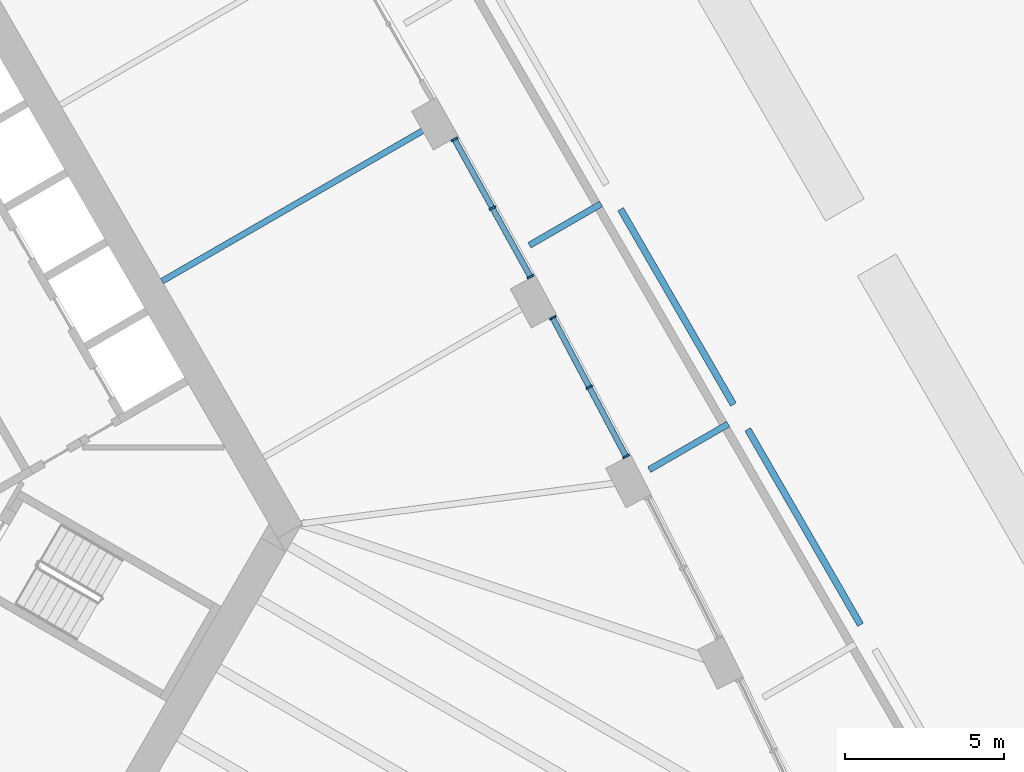
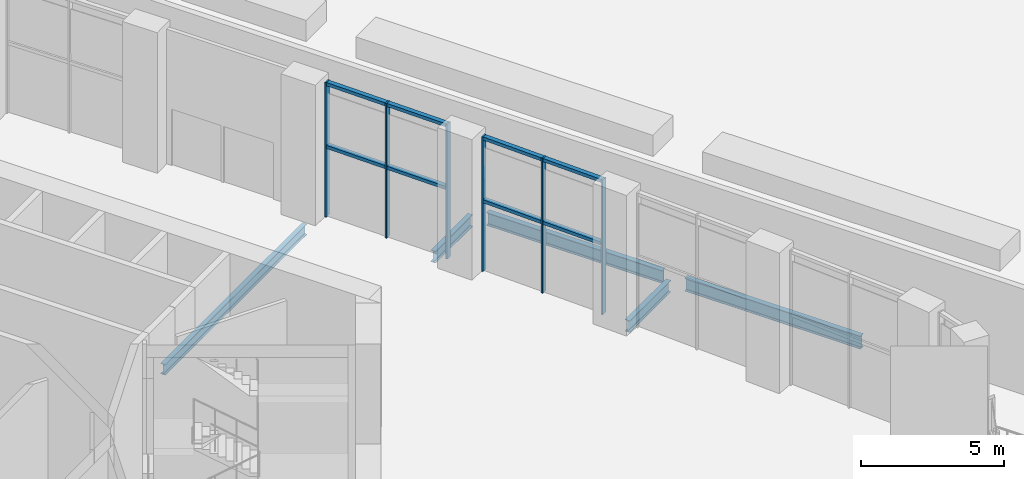
# One storey, part 9 of 41: 14 members, 5 beams, 1 element without a shape of its own.
"""IFC4 building model written with IfcOpenShell, lengths in metres."""

from ifc_helpers import new_model, si_unit, direction, frame, origin, origin_2d, place, context, subcontext, project, spatial, rectangle, i_section, extrude, material, material_profile, profile_set, type_object, element, aggregate, save


model = new_model("IFC4")

# Units and contexts
model_context = context("Model", 3, precision=1e-05, world=origin(), true_north=direction((0.0, 1.0)))
body_context = subcontext(model_context, "Body", "Model", "MODEL_VIEW")
ifc_project = project(units=[si_unit("LENGTHUNIT", "METRE"), si_unit("AREAUNIT", "SQUARE_METRE"), si_unit("VOLUMEUNIT", "CUBIC_METRE"), si_unit("PLANEANGLEUNIT", "RADIAN"), si_unit("MASSUNIT", "GRAM", prefix="KILO")], contexts=[model_context])

# Site, building, storey
site_placement = place(None, origin())
site = spatial("IfcSite", under=ifc_project, at=site_placement, CompositionType="ELEMENT")
building_placement = place(site_placement, origin())
building = spatial("IfcBuilding", under=site, at=building_placement, Name="Mestral Congress Tower", CompositionType="ELEMENT")
storey_placement = place(building_placement, frame((0.0, 0.0, 21.60009765625)))
storey = spatial("IfcBuildingStorey", under=building, at=storey_placement, Name="L04", CompositionType="ELEMENT", Elevation=21.60009765625)

# Curtain wall, members
ifc_material_1 = material(Name="Clear low-emissivity double glazing", Category="glass")
curtain_wall_type = type_object("IfcCurtainWallType", Name="Facade arrival lobby curtain wall", PredefinedType="USERDEFINED", material=ifc_material_1)
curtain_wall_placement = place(storey_placement, origin())
curtain_wall = element("IfcCurtainWall", 1, at=curtain_wall_placement, inside=storey, type_object=curtain_wall_type, Name="Facade arrival lobby curtain wall face 2", ObjectType="CURTAIN WALL", PredefinedType="USERDEFINED")
ifc_material_2 = material(Name="Anodised aluminium", Category="aluminium")
ifc_material_profile_1 = material_profile(ifc_material_2, rectangle(XDim=0.219970703125, YDim=0.06005859375, at=origin_2d()), Name="CW4 mullion 220 x 60")
ifc_profile_set_1 = profile_set([ifc_material_profile_1], Name="Anodised aluminium")
member_type_1 = type_object("IfcMemberType", Name="Facade arrival lobby curtain wall mullion", PredefinedType="MULLION", material=ifc_profile_set_1)
member_1_placement = place(storey_placement, frame((27.456787109375, -1.785888671875, 0.0), z_axis=(0.0, 0.0, 1.0), x_axis=(0.883913407167, 0.467650605293, 0.0)))
member_1 = element("IfcMember", 2, at=member_1_placement, type_object=member_type_1, Name="Facade arrival lobby curtain wall mullion", PredefinedType="MULLION", context=body_context, shape_type="SweptSolid", body=[
    extrude(rectangle(XDim=0.219970703125, YDim=0.06005859375, at=origin_2d()), origin(), (0.0, 0.0, 1.0), 5.75),
])
member_2_placement = place(storey_placement, frame((26.302001953125, 0.396484375, 0.0), z_axis=(0.0, 0.0, 1.0), x_axis=(0.883913407167, 0.467650605293, 0.0)))
member_2 = element("IfcMember", 3, at=member_2_placement, type_object=member_type_1, Name="Facade arrival lobby curtain wall mullion", PredefinedType="MULLION", context=body_context, shape_type="SweptSolid", body=[
    extrude(rectangle(XDim=0.219970703125, YDim=0.06005859375, at=origin_2d()), origin(), (0.0, 0.0, 1.0), 5.75),
])
member_3_placement = place(storey_placement, frame((25.147216796875, 2.5791015625, 0.0), z_axis=(0.0, 0.0, 1.0), x_axis=(0.883913407167, 0.467650605293, 0.0)))
member_3 = element("IfcMember", 4, at=member_3_placement, type_object=member_type_1, Name="Facade arrival lobby curtain wall mullion", PredefinedType="MULLION", context=body_context, shape_type="SweptSolid", body=[
    extrude(rectangle(XDim=0.219970703125, YDim=0.06005859375, at=origin_2d()), origin(), (0.0, 0.0, 1.0), 5.75),
])
member_4_placement = place(storey_placement, frame((24.44921875, 3.869384765625, 0.0), z_axis=(0.0, 0.0, 1.0), x_axis=(0.875120162417, 0.483905674001, 0.0)))
member_4 = element("IfcMember", 5, at=member_4_placement, type_object=member_type_1, Name="Facade arrival lobby curtain wall mullion", PredefinedType="MULLION", context=body_context, shape_type="SweptSolid", body=[
    extrude(rectangle(XDim=0.219970703125, YDim=0.06005859375, at=origin_2d()), origin(), (0.0, 0.0, 1.0), 5.75),
])
member_5_placement = place(storey_placement, frame((23.25439453125, 6.0302734375, 0.0), z_axis=(0.0, 0.0, 1.0), x_axis=(0.875120162417, 0.483905674001, 0.0)))
member_5 = element("IfcMember", 6, at=member_5_placement, type_object=member_type_1, Name="Facade arrival lobby curtain wall mullion", PredefinedType="MULLION", context=body_context, shape_type="SweptSolid", body=[
    extrude(rectangle(XDim=0.219970703125, YDim=0.06005859375, at=origin_2d()), origin(), (0.0, 0.0, 1.0), 5.75),
])
member_6_placement = place(storey_placement, frame((22.0595703125, 8.19091796875, 0.0), z_axis=(0.0, 0.0, 1.0), x_axis=(0.875120162417, 0.483905674001, 0.0)))
member_6 = element("IfcMember", 7, at=member_6_placement, type_object=member_type_1, Name="Facade arrival lobby curtain wall mullion", PredefinedType="MULLION", context=body_context, shape_type="SweptSolid", body=[
    extrude(rectangle(XDim=0.219970703125, YDim=0.06005859375, at=origin_2d()), origin(), (0.0, 0.0, 1.0), 5.75),
])
ifc_material_profile_2 = material_profile(ifc_material_2, rectangle(XDim=0.179931640625, YDim=0.139892578125, at=origin_2d()), Name="CW4 transom 180 x 140")
ifc_profile_set_2 = profile_set([ifc_material_profile_2], Name="Anodised aluminium")
member_type_2 = type_object("IfcMemberType", Name="Facade arrival lobby curtain wall transom", PredefinedType="USERDEFINED", material=ifc_profile_set_2)
member_7_placement = place(storey_placement, frame((27.442626953125, -1.759521484375, 3.0), z_axis=(-0.467645602362, 0.883916054041, 0.0), x_axis=(-0.883916054041, -0.467645602362, 0.0)))
member_7 = element("IfcMember", 8, at=member_7_placement, type_object=member_type_2, Name="Facade arrival lobby curtain wall transom", ObjectType="TRANSOM", PredefinedType="USERDEFINED", context=body_context, shape_type="SweptSolid", body=[
    extrude(rectangle(XDim=0.179931640625, YDim=0.139892578125, at=origin_2d()), origin(), (0.0, 0.0, 1.0), 2.409423828125),
])
member_8_placement = place(storey_placement, frame((27.442626953125, -1.759521484375, 5.679931640625), z_axis=(-0.467645602362, 0.883916054041, 0.0), x_axis=(-0.883916054041, -0.467645602362, 0.0)))
member_8 = element("IfcMember", 9, at=member_8_placement, type_object=member_type_2, Name="Facade arrival lobby curtain wall transom", ObjectType="TRANSOM", PredefinedType="USERDEFINED", context=body_context, shape_type="SweptSolid", body=[
    extrude(rectangle(XDim=0.179931640625, YDim=0.139892578125, at=origin_2d()), origin(), (0.0, 0.0, 1.0), 2.409423828125),
])
member_9_placement = place(storey_placement, frame((26.2880859375, 0.423095703125, 3.0), z_axis=(-0.467687491987, 0.883893890599, 0.0), x_axis=(-0.883893890599, -0.467687491987, 0.0)))
member_9 = element("IfcMember", 10, at=member_9_placement, type_object=member_type_2, Name="Facade arrival lobby curtain wall transom", ObjectType="TRANSOM", PredefinedType="USERDEFINED", context=body_context, shape_type="SweptSolid", body=[
    extrude(rectangle(XDim=0.179931640625, YDim=0.139892578125, at=origin_2d()), origin(), (0.0, 0.0, 1.0), 2.4091796875),
])
member_10_placement = place(storey_placement, frame((26.2880859375, 0.423095703125, 5.679931640625), z_axis=(-0.467687491987, 0.883893890599, 0.0), x_axis=(-0.883893890599, -0.467687491987, 0.0)))
member_10 = element("IfcMember", 11, at=member_10_placement, type_object=member_type_2, Name="Facade arrival lobby curtain wall transom", ObjectType="TRANSOM", PredefinedType="USERDEFINED", context=body_context, shape_type="SweptSolid", body=[
    extrude(rectangle(XDim=0.179931640625, YDim=0.139892578125, at=origin_2d()), origin(), (0.0, 0.0, 1.0), 2.4091796875),
])
member_11_placement = place(storey_placement, frame((24.434814453125, 3.895751953125, 3.0), z_axis=(-0.483998648119, 0.875068745082, 0.0), x_axis=(-0.875068745082, -0.483998648119, 0.0)))
member_11 = element("IfcMember", 12, at=member_11_placement, type_object=member_type_2, Name="Facade arrival lobby curtain wall transom", ObjectType="TRANSOM", PredefinedType="USERDEFINED", context=body_context, shape_type="SweptSolid", body=[
    extrude(rectangle(XDim=0.179931640625, YDim=0.139892578125, at=origin_2d()), origin(), (0.0, 0.0, 1.0), 2.4091796875),
])
member_12_placement = place(storey_placement, frame((24.434814453125, 3.895751953125, 5.679931640625), z_axis=(-0.483998648119, 0.875068745082, 0.0), x_axis=(-0.875068745082, -0.483998648119, 0.0)))
member_12 = element("IfcMember", 13, at=member_12_placement, type_object=member_type_2, Name="Facade arrival lobby curtain wall transom", ObjectType="TRANSOM", PredefinedType="USERDEFINED", context=body_context, shape_type="SweptSolid", body=[
    extrude(rectangle(XDim=0.179931640625, YDim=0.139892578125, at=origin_2d()), origin(), (0.0, 0.0, 1.0), 2.4091796875),
])
member_13_placement = place(storey_placement, frame((23.239990234375, 6.056396484375, 3.0), z_axis=(-0.483878127232, 0.875135394089, 0.0), x_axis=(-0.875135394089, -0.483878127232, 0.0)))
member_13 = element("IfcMember", 14, at=member_13_placement, type_object=member_type_2, Name="Facade arrival lobby curtain wall transom", ObjectType="TRANSOM", PredefinedType="USERDEFINED", context=body_context, shape_type="SweptSolid", body=[
    extrude(rectangle(XDim=0.179931640625, YDim=0.139892578125, at=origin_2d()), origin(), (0.0, 0.0, 1.0), 2.4091796875),
])
member_14_placement = place(storey_placement, frame((23.239990234375, 6.056396484375, 5.679931640625), z_axis=(-0.483878127232, 0.875135394089, 0.0), x_axis=(-0.875135394089, -0.483878127232, 0.0)))
member_14 = element("IfcMember", 15, at=member_14_placement, type_object=member_type_2, Name="Facade arrival lobby curtain wall transom", ObjectType="TRANSOM", PredefinedType="USERDEFINED", context=body_context, shape_type="SweptSolid", body=[
    extrude(rectangle(XDim=0.179931640625, YDim=0.139892578125, at=origin_2d()), origin(), (0.0, 0.0, 1.0), 2.4091796875),
])
aggregate(curtain_wall, [member_1, member_2, member_3, member_7, member_8, member_9, member_10, member_4, member_5, member_6, member_11, member_12, member_13, member_14])

# Beams
ifc_material_3 = material(Name="Steel S355", Category="steel")
ifc_material_profile_3 = material_profile(ifc_material_3, i_section(OverallWidth=0.18994140625, OverallDepth=0.449951171875, WebThickness=0.009521484375, FlangeThickness=0.0146484375, FilletRadius=0.02099609375, at=origin_2d()), Name="IPE 450")
ifc_profile_set_3 = profile_set([ifc_material_profile_3], Name="Steel S355")
beam_type_1 = type_object("IfcBeamType", Name="Floor beam IPE 450 S355", PredefinedType="BEAM", material=ifc_profile_set_3)
beam_1_placement = place(storey_placement, frame((21.443359375, 8.685302734375, -0.625), z_axis=(-0.866024815816, -0.500001018391, 0.0), x_axis=(0.500001018391, -0.866024815816, 0.0)))
element("IfcBeam", 16, at=beam_1_placement, inside=storey, type_object=beam_type_1, Name="BM-L04-RB1-E04", PredefinedType="BEAM", context=body_context, shape_type="SweptSolid", body=[
    extrude(i_section(OverallWidth=0.18994140625, OverallDepth=0.449951171875, WebThickness=0.009521484375, FlangeThickness=0.0146484375, FilletRadius=0.02099609375, at=origin_2d()), origin(), (0.0, 0.0, 1.0), 9.9130859375),
])
ifc_material_profile_4 = material_profile(ifc_material_3, i_section(OverallWidth=0.199951171875, OverallDepth=0.5, WebThickness=0.01025390625, FlangeThickness=0.01611328125, FilletRadius=0.02099609375, at=origin_2d()), Name="IPE 500")
ifc_profile_set_4 = profile_set([ifc_material_profile_4], Name="Steel S355")
beam_type_2 = type_object("IfcBeamType", Name="Floor beam IPE 500 S355", PredefinedType="BEAM", material=ifc_profile_set_4)
beam_2_placement = place(storey_placement, frame((30.6708984375, -0.767333984375, -0.550048828125), z_axis=(-0.866019818373, -0.500009674092, 0.0), x_axis=(0.500009674092, -0.866019818373, 0.0)))
element("IfcBeam", 17, at=beam_2_placement, inside=storey, type_object=beam_type_2, Name="BM-L04-E-K04", PredefinedType="BEAM", context=body_context, shape_type="SweptSolid", body=[
    extrude(i_section(OverallWidth=0.199951171875, OverallDepth=0.5, WebThickness=0.01025390625, FlangeThickness=0.01611328125, FilletRadius=0.02099609375, at=origin_2d()), origin(), (0.0, 0.0, 1.0), 2.86962890625),
])
beam_3_placement = place(storey_placement, frame((26.6708984375, 6.160888671875, -0.550048828125), z_axis=(-0.866018489949, -0.500011974923, 0.0), x_axis=(0.500011974923, -0.866018489949, 0.0)))
element("IfcBeam", 18, at=beam_3_placement, inside=storey, type_object=beam_type_2, Name="BM-L04-E-K05", PredefinedType="BEAM", context=body_context, shape_type="SweptSolid", body=[
    extrude(i_section(OverallWidth=0.199951171875, OverallDepth=0.5, WebThickness=0.01025390625, FlangeThickness=0.01611328125, FilletRadius=0.02099609375, at=origin_2d()), origin(), (0.0, 0.0, 1.0), 2.603515625),
])
ifc_material_profile_5 = material_profile(ifc_material_3, i_section(OverallWidth=0.2099609375, OverallDepth=0.550048828125, WebThickness=0.010986328125, FlangeThickness=0.01708984375, FilletRadius=0.02392578125, at=origin_2d()), Name="IPE 550")
ifc_profile_set_5 = profile_set([ifc_material_profile_5], Name="Steel S355")
beam_type_3 = type_object("IfcBeamType", Name="Floor beam IPE 550 S355", PredefinedType="BEAM", material=ifc_profile_set_5)
for number, where, z_axis, x_axis, name in (
    (19, (34.83544921875, -7.080810546875, -0.5751953125), (-0.500011179042, 0.866018949465, 0.0), (-0.866018949465, -0.500011179042, 0.0), "BM-L04-E-U03A"),
    (20, (30.83544921875, -0.152587890625, -0.5751953125), (-0.500011179042, 0.866018949465, 0.0), (-0.866018949465, -0.500011179042, 0.0), "BM-L04-E-U04A"),
):
    element("IfcBeam", number, at=place(storey_placement, frame(where, z_axis=z_axis, x_axis=x_axis)), inside=storey, type_object=beam_type_3, Name=name, PredefinedType="BEAM", context=body_context, shape_type="SweptSolid", body=[
        extrude(i_section(OverallWidth=0.2099609375, OverallDepth=0.550048828125, WebThickness=0.010986328125, FlangeThickness=0.01708984375, FilletRadius=0.02392578125, at=origin_2d()), origin(), (0.0, 0.0, 1.0), 7.099853515625),
    ])

save(model, "model.ifc")
